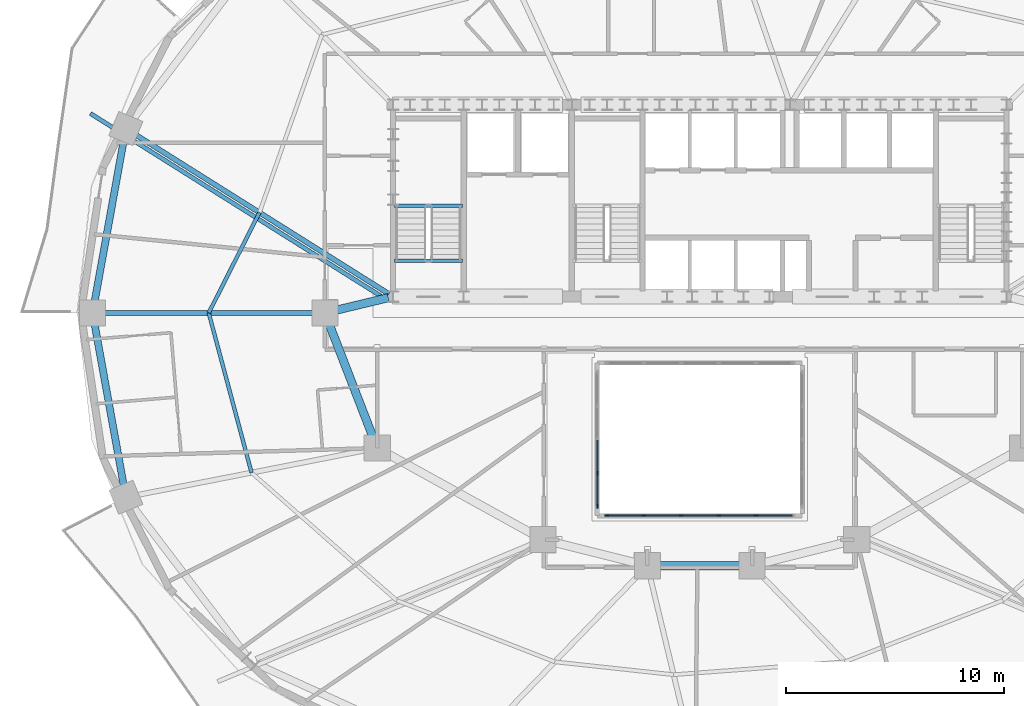
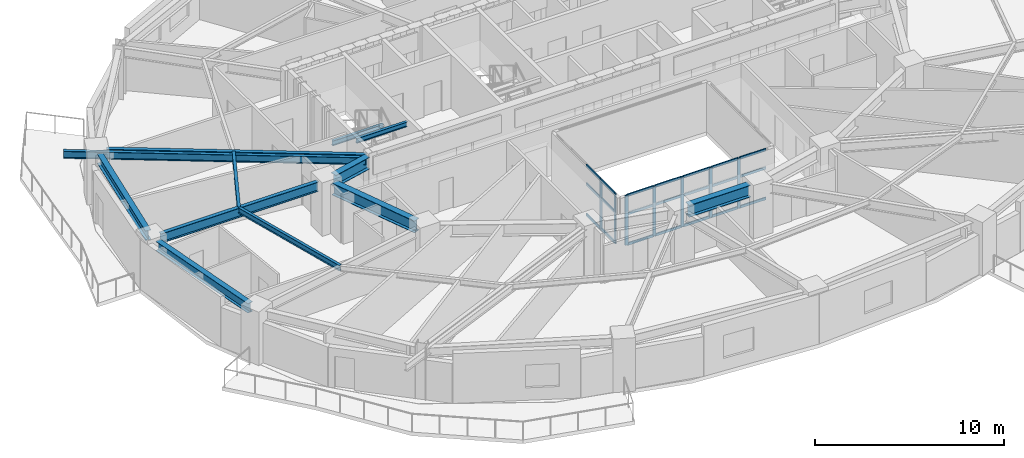
# One storey, part 2 of 14: 28 members, 12 beams, 2 elements without a shape of their own.
"""IFC4 building model written with IfcOpenShell, lengths in metres."""

import ifcopenshell
import ifcopenshell.guid

model = None  # the IFC model being written
_history = None  # IfcOwnerHistory: only IFC2X3 demands one
_inside = {}  # id of a spatial element -> (the spatial element, [elements in it])
_under = {}  # id of a project, library or spatial element -> (it, [spatial elements below it])
_declared = {}  # id of a project -> (the project, [libraries it declares])
_typed = {}  # id of a type object -> (the type object, [elements of that type])
_made_of = {}  # id of a material, layer set ... -> (it, [elements and type objects made of it])


def new_model(schema):
    """Start an empty IFC model of exactly this schema.

    Asked for "IFC4X3", IfcOpenShell would pick the latest addendum, in which some entities
    have other attributes; the version numbers below select the first issue.
    IFC2X3 requires an IfcOwnerHistory on every rooted entity: one is made here for all.
    """
    global model, _history
    if schema == "IFC4X3":
        model = ifcopenshell.file(schema_version=(4, 3, 0, 0))
    else:
        model = ifcopenshell.file(schema=schema)
    _inside.clear()
    _under.clear()
    _declared.clear()
    _typed.clear()
    _made_of.clear()
    _history = None
    if model.schema == "IFC2X3":
        org = make("IfcOrganization", Name="unknown")
        user = make(
            "IfcPersonAndOrganization",
            ThePerson=make("IfcPerson", FamilyName="unknown"),
            TheOrganization=org,
        )
        app = make(
            "IfcApplication",
            ApplicationDeveloper=org,
            Version="unknown",
            ApplicationFullName="unknown",
            ApplicationIdentifier="unknown",
        )
        _history = make(
            "IfcOwnerHistory",
            OwningUser=user,
            OwningApplication=app,
            ChangeAction="ADDED",
            CreationDate=0,
        )
    return model


def make(cls, **values):
    """One entity of the class cls with the attributes given. An attribute that is None is left unset."""
    return model.create_entity(
        cls, **{name: value for name, value in values.items() if value is not None}
    )


def rooted(cls, **values):
    """An entity with a GlobalId (a new one), such as an element, a storey or a relation."""
    return make(cls, GlobalId=ifcopenshell.guid.new(), OwnerHistory=_history, **values)


def si_unit(unit_type, name, prefix=None):
    """IfcSIUnit, for example si_unit("LENGTHUNIT", "METRE", prefix="MILLI")."""
    return make("IfcSIUnit", UnitType=unit_type, Prefix=prefix, Name=name)


def assignment(units):
    """IfcUnitAssignment: the units of a project."""
    return None if units is None else make("IfcUnitAssignment", Units=units)


def point(xyz):
    """IfcCartesianPoint."""
    return None if xyz is None else make("IfcCartesianPoint", Coordinates=xyz)


def direction(xyz):
    """IfcDirection."""
    return None if xyz is None else make("IfcDirection", DirectionRatios=xyz)


def frame(location, z_axis=None, x_axis=None):
    """IfcAxis2Placement3D, a coordinate frame: its origin and axes. An axis left out is left unset."""
    return make(
        "IfcAxis2Placement3D",
        Location=point(location),
        Axis=direction(z_axis),
        RefDirection=direction(x_axis),
    )


def frame_2d(location, x_axis=None):
    """IfcAxis2Placement2D, a coordinate frame in the plane: its origin and x axis."""
    return make(
        "IfcAxis2Placement2D", Location=point(location), RefDirection=direction(x_axis)
    )


def origin():
    """The frame at (0, 0, 0) with its axes left unset."""
    return frame((0.0, 0.0, 0.0))


def origin_2d():
    """The frame at (0, 0) in the plane with its x axis left unset."""
    return frame_2d((0.0, 0.0))


def place(relative_to, where):
    """IfcLocalPlacement: puts the frame where relative to a parent placement (None: the world)."""
    return make(
        "IfcLocalPlacement", PlacementRelTo=relative_to, RelativePlacement=where
    )


def context(
    kind, dimensions, precision=None, world=None, true_north=None, identifier=None
):
    """IfcGeometricRepresentationContext, for example the 3D "Model" context."""
    return make(
        "IfcGeometricRepresentationContext",
        ContextIdentifier=identifier,
        ContextType=kind,
        CoordinateSpaceDimension=dimensions,
        Precision=precision,
        WorldCoordinateSystem=world,
        TrueNorth=true_north,
    )


def subcontext(parent, identifier, kind, view, scale=None):
    """IfcGeometricRepresentationSubContext, for example "Body" below "Model"."""
    return make(
        "IfcGeometricRepresentationSubContext",
        ContextIdentifier=identifier,
        ContextType=kind,
        ParentContext=parent,
        TargetScale=scale,
        TargetView=view,
    )


def project(units=None, contexts=None):
    """IfcProject with its units and contexts."""
    return rooted(
        "IfcProject",
        Name="project",
        RepresentationContexts=contexts,
        UnitsInContext=assignment(units),
    )


def spatial(cls, under=None, at=None, **own):
    """A site, building, storey or space (cls), placed at a placement, below another one or the project."""
    s = rooted(cls, ObjectPlacement=at, **own)
    if under is not None:
        _under.setdefault(under.id(), (under, []))[1].append(s)
    return s


def profile(cls, at=None, kind="AREA", **sizes):
    """A parametric profile (cls). Its sizes go by their IFC names, for example OverallWidth=200.0."""
    return make(cls, ProfileType=kind, Position=at, **sizes)


def rectangle(**sizes):
    """IfcRectangleProfileDef."""
    return profile("IfcRectangleProfileDef", **sizes)


def i_section(**sizes):
    """IfcIShapeProfileDef."""
    return profile("IfcIShapeProfileDef", **sizes)


def extrude(swept, where, along, depth):
    """IfcExtrudedAreaSolid: the profile swept, set in the frame where, extruded along a direction by depth."""
    return make(
        "IfcExtrudedAreaSolid",
        SweptArea=swept,
        Position=where,
        ExtrudedDirection=direction(along),
        Depth=depth,
    )


def shape(context_of_items, identifier, shape_type, items):
    """IfcShapeRepresentation: the items that make up one representation, for example the "Body"."""
    return make(
        "IfcShapeRepresentation",
        ContextOfItems=context_of_items,
        RepresentationIdentifier=identifier,
        RepresentationType=shape_type,
        Items=items,
    )


def material(Name=None, Category=None):
    """IfcMaterial."""
    return make("IfcMaterial", Name=Name, Category=Category)


def material_profile(
    of_material, cross_section, Name=None, Category=None, Priority=None
):
    """IfcMaterialProfile: a cross section and its material."""
    return make(
        "IfcMaterialProfile",
        Name=Name,
        Material=of_material,
        Profile=cross_section,
        Priority=Priority,
        Category=Category,
    )


def profile_set(profiles, Name=None, composite=None):
    """IfcMaterialProfileSet."""
    return make(
        "IfcMaterialProfileSet",
        Name=Name,
        MaterialProfiles=profiles,
        CompositeProfile=composite,
    )


def made_of(thing, what):
    """Note that an element or type object is made of a material, layer set ...; save() writes the relation."""
    if what is not None:
        _made_of.setdefault(what.id(), (what, []))[1].append(thing)
    return thing


def type_object(cls, material=None, **own):
    """A type object (cls), such as IfcWallType, which elements share."""
    return made_of(rooted(cls, **own), material)


def element(
    cls,
    number,
    at=None,
    inside=None,
    cuts=None,
    type_object=None,
    material=None,
    context=None,
    identifier="Body",
    shape_type=None,
    held_by="IfcProductDefinitionShape",
    body=None,
    shapes=None,
    **own,
):
    """One element of the class cls, such as IfcWall. Its Tag is "e" and its number.

    at: its placement. inside: the storey or other place that contains it. cuts: it is an
    opening in that element (IfcRelVoidsElement). A single representation is given by context,
    identifier, shape_type and body (its items); several are given by shapes. held_by: the class
    of the entity that holds the representations. save() writes the other relations.
    """
    e = rooted(cls, Tag="e%d" % number, ObjectPlacement=at, **own)
    if body is not None:
        shapes = [shape(context, identifier, shape_type, body)]
    if shapes is not None:
        e.Representation = make(held_by, Representations=shapes)
    if inside is not None:
        _inside.setdefault(inside.id(), (inside, []))[1].append(e)
    if cuts is not None:
        rooted(
            "IfcRelVoidsElement", RelatingBuildingElement=cuts, RelatedOpeningElement=e
        )
    if type_object is not None:
        _typed.setdefault(type_object.id(), (type_object, []))[1].append(e)
    return made_of(e, material)


def aggregate(whole, parts):
    """IfcRelAggregates: a whole, such as a stair, and the parts it consists of."""
    return rooted("IfcRelAggregates", RelatingObject=whole, RelatedObjects=parts)


def save(model, path):
    """Write the relations noted so far, then the file.

    IfcRelAggregates (storeys below a building ...), IfcRelContainedInSpatialStructure (elements
    in a storey), IfcRelDefinesByType, IfcRelAssociatesMaterial and IfcRelDeclares: one each for
    every whole, place, type object, material and project.
    """
    for whole, parts in _under.values():
        aggregate(whole, parts)
    for where, things in _inside.values():
        rooted(
            "IfcRelContainedInSpatialStructure",
            RelatedElements=things,
            RelatingStructure=where,
        )
    for kind, things in _typed.values():
        rooted("IfcRelDefinesByType", RelatedObjects=things, RelatingType=kind)
    for what, things in _made_of.values():
        rooted("IfcRelAssociatesMaterial", RelatedObjects=things, RelatingMaterial=what)
    for by, libraries in _declared.values():
        rooted("IfcRelDeclares", RelatingContext=by, RelatedDefinitions=libraries)
    model.write(path)


model = new_model("IFC4")

# Units and contexts
model_context = context("Model", 3, precision=1e-05, world=origin(), true_north=direction((0.0, 1.0)))
body_context = subcontext(model_context, "Body", "Model", "MODEL_VIEW")
ifc_project = project(units=[si_unit("LENGTHUNIT", "METRE"), si_unit("AREAUNIT", "SQUARE_METRE"), si_unit("VOLUMEUNIT", "CUBIC_METRE"), si_unit("PLANEANGLEUNIT", "RADIAN"), si_unit("MASSUNIT", "GRAM", prefix="KILO")], contexts=[model_context])

# Site, building, storey
site_placement = place(None, origin())
site = spatial("IfcSite", under=ifc_project, at=site_placement, CompositionType="ELEMENT")
building_placement = place(site_placement, origin())
building = spatial("IfcBuilding", under=site, at=building_placement, Name="Haldorwick Loom Tower", CompositionType="ELEMENT")
storey_placement = place(building_placement, frame((0.0, 0.0, 95.60009765625)))
storey = spatial("IfcBuildingStorey", under=building, at=storey_placement, Name="L25", CompositionType="ELEMENT", Elevation=95.60009765625)

# Curtain wall, members
ifc_material_1 = material(Name="Thermally Broken Anodized Aluminium Curtain Wall Framing", Category="aluminium")
curtain_wall_type = type_object("IfcCurtainWallType", Name="ARC-CW-03", PredefinedType="NOTDEFINED", material=ifc_material_1)
curtain_wall_1_placement = place(storey_placement, origin())
curtain_wall_1 = element("IfcCurtainWall", 1, at=curtain_wall_1_placement, inside=storey, type_object=curtain_wall_type, Name="L25 Atrium Glazed Screen S", PredefinedType="NOTDEFINED")
ifc_material_profile_1 = material_profile(ifc_material_1, rectangle(XDim=0.06591796875, YDim=0.18505859375, at=origin_2d()), Name="ALU_MUL_66X185", Category="aluminium")
ifc_profile_set_1 = profile_set([ifc_material_profile_1], Name="Thermally Broken Anodized Aluminium Curtain Wall Framing")
member_type_1 = type_object("IfcMemberType", Name="ARC-CWM-03", PredefinedType="MULLION", material=ifc_profile_set_1)
member_1_placement = place(storey_placement, frame((38.580078125, 16.699951171875, 0.0), z_axis=(0.0, 0.0, 1.0), x_axis=(0.0, -1.0, 0.0)))
member_1 = element("IfcMember", 2, at=member_1_placement, type_object=member_type_1, Name="CW-03 mullion 2", PredefinedType="MULLION", context=body_context, shape_type="SweptSolid", body=[
    extrude(rectangle(XDim=0.06591796875, YDim=0.18505859375, at=origin_2d()), origin(), (0.0, 0.0, 1.0), 3.2099609375),
])
member_2_placement = place(storey_placement, frame((36.860107421875, 16.699951171875, 0.0), z_axis=(0.0, 0.0, 1.0), x_axis=(0.0, -1.0, 0.0)))
member_2 = element("IfcMember", 3, at=member_2_placement, type_object=member_type_1, Name="CW-03 mullion 3", PredefinedType="MULLION", context=body_context, shape_type="SweptSolid", body=[
    extrude(rectangle(XDim=0.06591796875, YDim=0.18505859375, at=origin_2d()), origin(), (0.0, 0.0, 1.0), 3.2099609375),
])
member_3_placement = place(storey_placement, frame((35.139892578125, 16.699951171875, 0.0), z_axis=(0.0, 0.0, 1.0), x_axis=(0.0, -1.0, 0.0)))
member_3 = element("IfcMember", 4, at=member_3_placement, type_object=member_type_1, Name="CW-03 mullion 4", PredefinedType="MULLION", context=body_context, shape_type="SweptSolid", body=[
    extrude(rectangle(XDim=0.06591796875, YDim=0.18505859375, at=origin_2d()), origin(), (0.0, 0.0, 1.0), 3.2099609375),
])
member_4_placement = place(storey_placement, frame((33.419921875, 16.699951171875, 0.0), z_axis=(0.0, 0.0, 1.0), x_axis=(0.0, -1.0, 0.0)))
member_4 = element("IfcMember", 5, at=member_4_placement, type_object=member_type_1, Name="CW-03 mullion 5", PredefinedType="MULLION", context=body_context, shape_type="SweptSolid", body=[
    extrude(rectangle(XDim=0.06591796875, YDim=0.18505859375, at=origin_2d()), origin(), (0.0, 0.0, 1.0), 3.2099609375),
])
member_5_placement = place(storey_placement, frame((31.73291015625, 16.699951171875, 0.0), z_axis=(0.0, 0.0, 1.0), x_axis=(0.0, -1.0, 0.0)))
member_5 = element("IfcMember", 6, at=member_5_placement, type_object=member_type_1, Name="CW-03 mullion 6", PredefinedType="MULLION", context=body_context, shape_type="SweptSolid", body=[
    extrude(rectangle(XDim=0.06591796875, YDim=0.18505859375, at=origin_2d()), origin(), (0.0, 0.0, 1.0), 3.2099609375),
])

curtain_wall_2_placement = place(storey_placement, origin())
curtain_wall_2 = element("IfcCurtainWall", 7, at=curtain_wall_2_placement, inside=storey, type_object=curtain_wall_type, Name="L25 Atrium Glazed Screen W", PredefinedType="NOTDEFINED")
member_6_placement = place(storey_placement, frame((31.300048828125, 17.133056640625, 0.0), z_axis=(0.0, 0.0, 1.0), x_axis=(-1.0, 0.0, 0.0)))
member_6 = element("IfcMember", 8, at=member_6_placement, type_object=member_type_1, Name="CW-03 mullion 1", PredefinedType="MULLION", context=body_context, shape_type="SweptSolid", body=[
    extrude(rectangle(XDim=0.06591796875, YDim=0.18505859375, at=origin_2d()), origin(), (0.0, 0.0, 1.0), 3.2099609375),
])
member_7_placement = place(storey_placement, frame((31.300048828125, 18.64990234375, 0.0), z_axis=(0.0, 0.0, 1.0), x_axis=(-1.0, 0.0, 0.0)))
member_7 = element("IfcMember", 9, at=member_7_placement, type_object=member_type_1, Name="CW-03 mullion 2", PredefinedType="MULLION", context=body_context, shape_type="SweptSolid", body=[
    extrude(rectangle(XDim=0.06591796875, YDim=0.18505859375, at=origin_2d()), origin(), (0.0, 0.0, 1.0), 3.2099609375),
])

# Member
ifc_material_profile_2 = material_profile(ifc_material_1, rectangle(XDim=0.06591796875, YDim=0.1650390625, at=origin_2d()), Name="ALU_TRN_66X165", Category="aluminium")
ifc_profile_set_2 = profile_set([ifc_material_profile_2], Name="Thermally Broken Anodized Aluminium Curtain Wall Framing")
member_type_2 = type_object("IfcMemberType", Name="ARC-CWT-03", PredefinedType="USERDEFINED", material=ifc_profile_set_2)
member_8_placement = place(storey_placement, frame((40.23388671875, 16.699951171875, 0.032958984375), z_axis=(-1.0, 0.0, 0.0), x_axis=(0.0, -1.0, 0.0)))
member_8 = element("IfcMember", 10, at=member_8_placement, type_object=member_type_2, Name="CW-03 transom 1.1", ObjectType="TRANSOM", PredefinedType="USERDEFINED", context=body_context, shape_type="SweptSolid", body=[
    extrude(rectangle(XDim=0.06591796875, YDim=0.1650390625, at=origin_2d()), origin(), (0.0, 0.0, 1.0), 1.620849609375),
])

member_9_placement = place(storey_placement, frame((40.23388671875, 16.699951171875, 2.0), z_axis=(-1.0, 0.0, 0.0), x_axis=(0.0, -1.0, 0.0)))
member_9 = element("IfcMember", 11, at=member_9_placement, type_object=member_type_2, Name="CW-03 transom 1.2", ObjectType="TRANSOM", PredefinedType="USERDEFINED", context=body_context, shape_type="SweptSolid", body=[
    extrude(rectangle(XDim=0.06591796875, YDim=0.1650390625, at=origin_2d()), origin(), (0.0, 0.0, 1.0), 1.620849609375),
])

member_10_placement = place(storey_placement, frame((40.23388671875, 16.699951171875, 3.177001953125), z_axis=(-1.0, 0.0, 0.0), x_axis=(0.0, -1.0, 0.0)))
member_10 = element("IfcMember", 12, at=member_10_placement, type_object=member_type_2, Name="CW-03 transom 1.3", ObjectType="TRANSOM", PredefinedType="USERDEFINED", context=body_context, shape_type="SweptSolid", body=[
    extrude(rectangle(XDim=0.06591796875, YDim=0.1650390625, at=origin_2d()), origin(), (0.0, 0.0, 1.0), 1.620849609375),
])

member_11_placement = place(storey_placement, frame((38.547119140625, 16.699951171875, 0.032958984375), z_axis=(-1.0, 0.0, 0.0), x_axis=(0.0, -1.0, 0.0)))
member_11 = element("IfcMember", 13, at=member_11_placement, type_object=member_type_2, Name="CW-03 transom 2.1", ObjectType="TRANSOM", PredefinedType="USERDEFINED", context=body_context, shape_type="SweptSolid", body=[
    extrude(rectangle(XDim=0.06591796875, YDim=0.1650390625, at=origin_2d()), origin(), (0.0, 0.0, 1.0), 1.654052734375),
])

member_12_placement = place(storey_placement, frame((38.547119140625, 16.699951171875, 2.0), z_axis=(-1.0, 0.0, 0.0), x_axis=(0.0, -1.0, 0.0)))
member_12 = element("IfcMember", 14, at=member_12_placement, type_object=member_type_2, Name="CW-03 transom 2.2", ObjectType="TRANSOM", PredefinedType="USERDEFINED", context=body_context, shape_type="SweptSolid", body=[
    extrude(rectangle(XDim=0.06591796875, YDim=0.1650390625, at=origin_2d()), origin(), (0.0, 0.0, 1.0), 1.654052734375),
])

member_13_placement = place(storey_placement, frame((38.547119140625, 16.699951171875, 3.177001953125), z_axis=(-1.0, 0.0, 0.0), x_axis=(0.0, -1.0, 0.0)))
member_13 = element("IfcMember", 15, at=member_13_placement, type_object=member_type_2, Name="CW-03 transom 2.3", ObjectType="TRANSOM", PredefinedType="USERDEFINED", context=body_context, shape_type="SweptSolid", body=[
    extrude(rectangle(XDim=0.06591796875, YDim=0.1650390625, at=origin_2d()), origin(), (0.0, 0.0, 1.0), 1.654052734375),
])

member_14_placement = place(storey_placement, frame((36.826904296875, 16.699951171875, 0.032958984375), z_axis=(-1.0, 0.0, 0.0), x_axis=(0.0, -1.0, 0.0)))
member_14 = element("IfcMember", 16, at=member_14_placement, type_object=member_type_2, Name="CW-03 transom 3.1", ObjectType="TRANSOM", PredefinedType="USERDEFINED", context=body_context, shape_type="SweptSolid", body=[
    extrude(rectangle(XDim=0.06591796875, YDim=0.1650390625, at=origin_2d()), origin(), (0.0, 0.0, 1.0), 1.65380859375),
])

member_15_placement = place(storey_placement, frame((36.826904296875, 16.699951171875, 2.0), z_axis=(-1.0, 0.0, 0.0), x_axis=(0.0, -1.0, 0.0)))
member_15 = element("IfcMember", 17, at=member_15_placement, type_object=member_type_2, Name="CW-03 transom 3.2", ObjectType="TRANSOM", PredefinedType="USERDEFINED", context=body_context, shape_type="SweptSolid", body=[
    extrude(rectangle(XDim=0.06591796875, YDim=0.1650390625, at=origin_2d()), origin(), (0.0, 0.0, 1.0), 1.65380859375),
])

member_16_placement = place(storey_placement, frame((36.826904296875, 16.699951171875, 3.177001953125), z_axis=(-1.0, 0.0, 0.0), x_axis=(0.0, -1.0, 0.0)))
member_16 = element("IfcMember", 18, at=member_16_placement, type_object=member_type_2, Name="CW-03 transom 3.3", ObjectType="TRANSOM", PredefinedType="USERDEFINED", context=body_context, shape_type="SweptSolid", body=[
    extrude(rectangle(XDim=0.06591796875, YDim=0.1650390625, at=origin_2d()), origin(), (0.0, 0.0, 1.0), 1.65380859375),
])

member_17_placement = place(storey_placement, frame((35.10693359375, 16.699951171875, 0.032958984375), z_axis=(-1.0, 0.0, 0.0), x_axis=(0.0, -1.0, 0.0)))
member_17 = element("IfcMember", 19, at=member_17_placement, type_object=member_type_2, Name="CW-03 transom 4.1", ObjectType="TRANSOM", PredefinedType="USERDEFINED", context=body_context, shape_type="SweptSolid", body=[
    extrude(rectangle(XDim=0.06591796875, YDim=0.1650390625, at=origin_2d()), origin(), (0.0, 0.0, 1.0), 1.654052734375),
])

member_18_placement = place(storey_placement, frame((35.10693359375, 16.699951171875, 2.0), z_axis=(-1.0, 0.0, 0.0), x_axis=(0.0, -1.0, 0.0)))
member_18 = element("IfcMember", 20, at=member_18_placement, type_object=member_type_2, Name="CW-03 transom 4.2", ObjectType="TRANSOM", PredefinedType="USERDEFINED", context=body_context, shape_type="SweptSolid", body=[
    extrude(rectangle(XDim=0.06591796875, YDim=0.1650390625, at=origin_2d()), origin(), (0.0, 0.0, 1.0), 1.654052734375),
])

member_19_placement = place(storey_placement, frame((35.10693359375, 16.699951171875, 3.177001953125), z_axis=(-1.0, 0.0, 0.0), x_axis=(0.0, -1.0, 0.0)))
member_19 = element("IfcMember", 21, at=member_19_placement, type_object=member_type_2, Name="CW-03 transom 4.3", ObjectType="TRANSOM", PredefinedType="USERDEFINED", context=body_context, shape_type="SweptSolid", body=[
    extrude(rectangle(XDim=0.06591796875, YDim=0.1650390625, at=origin_2d()), origin(), (0.0, 0.0, 1.0), 1.654052734375),
])

member_20_placement = place(storey_placement, frame((33.386962890625, 16.699951171875, 0.032958984375), z_axis=(-1.0, 0.0, 0.0), x_axis=(0.0, -1.0, 0.0)))
member_20 = element("IfcMember", 22, at=member_20_placement, type_object=member_type_2, Name="CW-03 transom 5.1", ObjectType="TRANSOM", PredefinedType="USERDEFINED", context=body_context, shape_type="SweptSolid", body=[
    extrude(rectangle(XDim=0.06591796875, YDim=0.1650390625, at=origin_2d()), origin(), (0.0, 0.0, 1.0), 1.620849609375),
])

member_21_placement = place(storey_placement, frame((33.386962890625, 16.699951171875, 2.0), z_axis=(-1.0, 0.0, 0.0), x_axis=(0.0, -1.0, 0.0)))
member_21 = element("IfcMember", 23, at=member_21_placement, type_object=member_type_2, Name="CW-03 transom 5.2", ObjectType="TRANSOM", PredefinedType="USERDEFINED", context=body_context, shape_type="SweptSolid", body=[
    extrude(rectangle(XDim=0.06591796875, YDim=0.1650390625, at=origin_2d()), origin(), (0.0, 0.0, 1.0), 1.620849609375),
])

member_22_placement = place(storey_placement, frame((33.386962890625, 16.699951171875, 3.177001953125), z_axis=(-1.0, 0.0, 0.0), x_axis=(0.0, -1.0, 0.0)))
member_22 = element("IfcMember", 24, at=member_22_placement, type_object=member_type_2, Name="CW-03 transom 5.3", ObjectType="TRANSOM", PredefinedType="USERDEFINED", context=body_context, shape_type="SweptSolid", body=[
    extrude(rectangle(XDim=0.06591796875, YDim=0.1650390625, at=origin_2d()), origin(), (0.0, 0.0, 1.0), 1.620849609375),
])

aggregate(curtain_wall_1, [member_1, member_2, member_3, member_4, member_5, member_8, member_9, member_10, member_11, member_12, member_13, member_14, member_15, member_16, member_17, member_18, member_19, member_20, member_21, member_22])

member_23_placement = place(storey_placement, frame((31.300048828125, 17.166015625, 0.032958984375), z_axis=(0.0, 1.0, 0.0), x_axis=(-1.0, 0.0, 0.0)))
member_23 = element("IfcMember", 25, at=member_23_placement, type_object=member_type_2, Name="CW-03 transom 1.1", ObjectType="TRANSOM", PredefinedType="USERDEFINED", context=body_context, shape_type="SweptSolid", body=[
    extrude(rectangle(XDim=0.06591796875, YDim=0.1650390625, at=origin_2d()), origin(), (0.0, 0.0, 1.0), 1.450927734375),
])

member_24_placement = place(storey_placement, frame((31.300048828125, 17.166015625, 2.0), z_axis=(0.0, 1.0, 0.0), x_axis=(-1.0, 0.0, 0.0)))
member_24 = element("IfcMember", 26, at=member_24_placement, type_object=member_type_2, Name="CW-03 transom 1.2", ObjectType="TRANSOM", PredefinedType="USERDEFINED", context=body_context, shape_type="SweptSolid", body=[
    extrude(rectangle(XDim=0.06591796875, YDim=0.1650390625, at=origin_2d()), origin(), (0.0, 0.0, 1.0), 1.450927734375),
])

member_25_placement = place(storey_placement, frame((31.300048828125, 17.166015625, 3.177001953125), z_axis=(0.0, 1.0, 0.0), x_axis=(-1.0, 0.0, 0.0)))
member_25 = element("IfcMember", 27, at=member_25_placement, type_object=member_type_2, Name="CW-03 transom 1.3", ObjectType="TRANSOM", PredefinedType="USERDEFINED", context=body_context, shape_type="SweptSolid", body=[
    extrude(rectangle(XDim=0.06591796875, YDim=0.1650390625, at=origin_2d()), origin(), (0.0, 0.0, 1.0), 1.450927734375),
])

member_26_placement = place(storey_placement, frame((31.300048828125, 18.68310546875, 0.032958984375), z_axis=(0.0, 1.0, 0.0), x_axis=(-1.0, 0.0, 0.0)))
member_26 = element("IfcMember", 28, at=member_26_placement, type_object=member_type_2, Name="CW-03 transom 2.1", ObjectType="TRANSOM", PredefinedType="USERDEFINED", context=body_context, shape_type="SweptSolid", body=[
    extrude(rectangle(XDim=0.06591796875, YDim=0.1650390625, at=origin_2d()), origin(), (0.0, 0.0, 1.0), 1.48388671875),
])

member_27_placement = place(storey_placement, frame((31.300048828125, 18.68310546875, 2.0), z_axis=(0.0, 1.0, 0.0), x_axis=(-1.0, 0.0, 0.0)))
member_27 = element("IfcMember", 29, at=member_27_placement, type_object=member_type_2, Name="CW-03 transom 2.2", ObjectType="TRANSOM", PredefinedType="USERDEFINED", context=body_context, shape_type="SweptSolid", body=[
    extrude(rectangle(XDim=0.06591796875, YDim=0.1650390625, at=origin_2d()), origin(), (0.0, 0.0, 1.0), 1.48388671875),
])

member_28_placement = place(storey_placement, frame((31.300048828125, 18.68310546875, 3.177001953125), z_axis=(0.0, 1.0, 0.0), x_axis=(-1.0, 0.0, 0.0)))
member_28 = element("IfcMember", 30, at=member_28_placement, type_object=member_type_2, Name="CW-03 transom 2.3", ObjectType="TRANSOM", PredefinedType="USERDEFINED", context=body_context, shape_type="SweptSolid", body=[
    extrude(rectangle(XDim=0.06591796875, YDim=0.1650390625, at=origin_2d()), origin(), (0.0, 0.0, 1.0), 1.48388671875),
])

aggregate(curtain_wall_2, [member_6, member_7, member_23, member_24, member_25, member_26, member_27, member_28])

# Beams
ifc_material_2 = material(Name="Steel CSA G40.21 350W", Category="steel")
ifc_material_profile_3 = material_profile(ifc_material_2, i_section(OverallWidth=0.193115234375, OverallDepth=0.466064453125, WebThickness=0.011474609375, FlangeThickness=0.01904296875, at=origin_2d()), Name="W460X97", Category="steel")
ifc_profile_set_3 = profile_set([ifc_material_profile_3], Name="Steel CSA G40.21 350W")
beam_type_1 = type_object("IfcBeamType", Name="STR-BM-BAL460", PredefinedType="BEAM", material=ifc_profile_set_3)
beam_1_placement = place(storey_placement, frame((21.590576171875, 26.6328125, 2.976806640625), z_axis=(-0.846621037802, 0.532196221662, 0.0), x_axis=(-0.532196221662, -0.846621037802, 0.0)))
element("IfcBeam", 31, at=beam_1_placement, inside=storey, type_object=beam_type_1, Name="L25 Continuous Back-Spanned Balcony Beam 3", PredefinedType="BEAM", context=body_context, shape_type="SweptSolid", body=[
    extrude(i_section(OverallWidth=0.193115234375, OverallDepth=0.466064453125, WebThickness=0.011474609375, FlangeThickness=0.01904296875, at=origin_2d()), origin(), (0.0, 0.0, 1.0), 16.0068359375),
])
ifc_material_profile_4 = material_profile(ifc_material_2, i_section(OverallWidth=0.172119140625, OverallDepth=0.35791015625, WebThickness=0.0078125, FlangeThickness=0.01318359375, at=origin_2d()), Name="W360X57", Category="steel")
ifc_profile_set_4 = profile_set([ifc_material_profile_4], Name="Steel CSA G40.21 350W")
beam_type_2 = type_object("IfcBeamType", Name="STR-BM-J360", PredefinedType="JOIST", material=ifc_profile_set_4)
beam_2_placement = place(storey_placement, frame((15.7998046875, 30.603515625, 3.031005859375), z_axis=(-0.451373231558, -0.892335254169, 0.0), x_axis=(0.892335254169, -0.451373231558, 0.0)))
element("IfcBeam", 32, at=beam_2_placement, inside=storey, type_object=beam_type_2, Name="L25 Mid-Bay Secondary Joist 8", PredefinedType="JOIST", context=body_context, shape_type="SweptSolid", body=[
    extrude(i_section(OverallWidth=0.172119140625, OverallDepth=0.35791015625, WebThickness=0.0078125, FlangeThickness=0.01318359375, at=origin_2d()), origin(), (0.0, 0.0, 1.0), 5.158935546875),
])
beam_3_placement = place(storey_placement, frame((13.47119140625, 26.0, 3.031005859375), z_axis=(0.258810072536, -0.965928230436, 0.0), x_axis=(0.965928230436, 0.258810072536, 0.0)))
element("IfcBeam", 33, at=beam_3_placement, inside=storey, type_object=beam_type_2, Name="L25 Mid-Bay Secondary Joist 9", PredefinedType="JOIST", context=body_context, shape_type="SweptSolid", body=[
    extrude(i_section(OverallWidth=0.172119140625, OverallDepth=0.35791015625, WebThickness=0.0078125, FlangeThickness=0.01318359375, at=origin_2d()), origin(), (0.0, 0.0, 1.0), 7.587158203125),
])
ifc_material_profile_5 = material_profile(ifc_material_2, i_section(OverallWidth=0.324951171875, OverallDepth=0.615966796875, WebThickness=0.013916015625, FlangeThickness=0.021484375, at=origin_2d()), Name="W610X174", Category="steel")
ifc_profile_set_5 = profile_set([ifc_material_profile_5], Name="Steel CSA G40.21 350W")
beam_type_3 = type_object("IfcBeamType", Name="STR-BM-SP610", PredefinedType="SPANDREL", material=ifc_profile_set_5)
for number, where, z_axis, x_axis, name in (
    (34, (9.576904296875, 33.945556640625, 2.90185546875), (-0.177659490888, -0.984092020747, 0.0), (0.984092020747, -0.177659490888, 0.0), "L25 Perimeter Spandrel 8"),
    (35, (8.23486328125, 25.48828125, 2.90185546875), (0.177659490888, -0.984092020747, 0.0), (0.984092020747, 0.177659490888, 0.0), "L25 Perimeter Spandrel 9"),
):
    element("IfcBeam", number, at=place(storey_placement, frame(where, z_axis=z_axis, x_axis=x_axis)), inside=storey, type_object=beam_type_3, Name=name, PredefinedType="SPANDREL", context=body_context, shape_type="SweptSolid", body=[
        extrude(i_section(OverallWidth=0.324951171875, OverallDepth=0.615966796875, WebThickness=0.013916015625, FlangeThickness=0.021484375, at=origin_2d()), origin(), (0.0, 0.0, 1.0), 7.553955078125),
    ])
ifc_material_profile_6 = material_profile(ifc_material_2, i_section(OverallWidth=0.166015625, OverallDepth=0.31298828125, WebThickness=0.006591796875, FlangeThickness=0.01123046875, at=origin_2d()), Name="W310X45", Category="steel")
ifc_profile_set_6 = profile_set([ifc_material_profile_6], Name="Steel CSA G40.21 350W")
beam_type_4 = type_object("IfcBeamType", Name="STR-BM-STRM", PredefinedType="BEAM", material=ifc_profile_set_6)
for number, where, z_axis, x_axis, name in (
    (36, (21.989990234375, 28.39990234375, 3.053466796875), (1.0, 0.0, 0.0), (0.0, 1.0, 0.0), "L25 Stair ST-01 Landing Edge Trimmer"),
    (37, (21.989990234375, 30.919921875, 1.368408203125), (1.0, 0.0, 0.0), (0.0, 1.0, 0.0), "L25 Stair ST-01 Half-Landing Trimmer 1"),
):
    element("IfcBeam", number, at=place(storey_placement, frame(where, z_axis=z_axis, x_axis=x_axis)), inside=storey, type_object=beam_type_4, Name=name, PredefinedType="BEAM", context=body_context, shape_type="SweptSolid", body=[
        extrude(i_section(OverallWidth=0.166015625, OverallDepth=0.31298828125, WebThickness=0.006591796875, FlangeThickness=0.01123046875, at=origin_2d()), origin(), (0.0, 0.0, 1.0), 3.1201171875),
    ])
ifc_material_profile_7 = material_profile(ifc_material_2, i_section(OverallWidth=0.22998046875, OverallDepth=0.616943359375, WebThickness=0.01318359375, FlangeThickness=0.022216796875, at=origin_2d()), Name="W610X140", Category="steel")
ifc_profile_set_7 = profile_set([ifc_material_profile_7], Name="Steel CSA G40.21 350W")
beam_type_5 = type_object("IfcBeamType", Name="STR-BM-W610B", PredefinedType="BEAM", material=ifc_profile_set_7)
beam_4_placement = place(storey_placement, frame((21.739501953125, 26.86962890625, 2.9013671875), z_axis=(-0.846609551433, 0.532214493811, 0.0), x_axis=(-0.532214493811, -0.846609551433, 0.0)))
element("IfcBeam", 38, at=beam_4_placement, inside=storey, type_object=beam_type_5, Name="L25 Radial Floor Girder 8", PredefinedType="BEAM", context=body_context, shape_type="SweptSolid", body=[
    extrude(i_section(OverallWidth=0.22998046875, OverallDepth=0.616943359375, WebThickness=0.01318359375, FlangeThickness=0.022216796875, at=origin_2d()), origin(), (0.0, 0.0, 1.0), 13.737060546875),
])
beam_5_placement = place(storey_placement, frame((18.280029296875, 26.0, 2.9013671875), z_axis=(-1.0, 0.0, 0.0), x_axis=(0.0, -1.0, 0.0)))
element("IfcBeam", 39, at=beam_5_placement, inside=storey, type_object=beam_type_5, Name="L25 Radial Floor Girder 9", PredefinedType="BEAM", context=body_context, shape_type="SweptSolid", body=[
    extrude(i_section(OverallWidth=0.22998046875, OverallDepth=0.616943359375, WebThickness=0.01318359375, FlangeThickness=0.022216796875, at=origin_2d()), origin(), (0.0, 0.0, 1.0), 9.61767578125),
])
ifc_material_profile_8 = material_profile(ifc_material_2, i_section(OverallWidth=0.381103515625, OverallDepth=0.77294921875, WebThickness=0.0166015625, FlangeThickness=0.027587890625, at=origin_2d()), Name="W760X257", Category="steel")
ifc_profile_set_8 = profile_set([ifc_material_profile_8], Name="Steel CSA G40.21 350W")
beam_type_6 = type_object("IfcBeamType", Name="STR-BM-W760", PredefinedType="BEAM", material=ifc_profile_set_8)
beam_6_placement = place(storey_placement, frame((37.8798828125, 14.39990234375, 2.823486328125), z_axis=(-1.0, 0.0, 0.0), x_axis=(0.0, -1.0, 0.0)))
element("IfcBeam", 40, at=beam_6_placement, inside=storey, type_object=beam_type_6, Name="L25 Inner Ring Girder 5", PredefinedType="BEAM", context=body_context, shape_type="SweptSolid", body=[
    extrude(i_section(OverallWidth=0.381103515625, OverallDepth=0.77294921875, WebThickness=0.0166015625, FlangeThickness=0.027587890625, at=origin_2d()), origin(), (0.0, 0.0, 1.0), 3.759765625),
])
beam_7_placement = place(storey_placement, frame((21.01220703125, 20.284912109375, 2.823486328125), z_axis=(-0.360964792353, 0.93257944363, 0.0), x_axis=(-0.93257944363, -0.360964792353, 0.0)))
element("IfcBeam", 41, at=beam_7_placement, inside=storey, type_object=beam_type_6, Name="L25 Inner Ring Girder 8", PredefinedType="BEAM", context=body_context, shape_type="SweptSolid", body=[
    extrude(i_section(OverallWidth=0.381103515625, OverallDepth=0.77294921875, WebThickness=0.0166015625, FlangeThickness=0.027587890625, at=origin_2d()), origin(), (0.0, 0.0, 1.0), 5.6083984375),
])
beam_8_placement = place(storey_placement, frame((19.3056640625, 26.12109375, 2.823486328125), z_axis=(0.97247055837, 0.233025777764, 0.0), x_axis=(-0.233025777764, 0.97247055837, 0.0)))
element("IfcBeam", 42, at=beam_8_placement, inside=storey, type_object=beam_type_6, Name="L25 Inner Ring Girder 9", PredefinedType="BEAM", context=body_context, shape_type="SweptSolid", body=[
    extrude(i_section(OverallWidth=0.381103515625, OverallDepth=0.77294921875, WebThickness=0.0166015625, FlangeThickness=0.027587890625, at=origin_2d()), origin(), (0.0, 0.0, 1.0), 2.4736328125),
])

save(model, "model.ifc")
